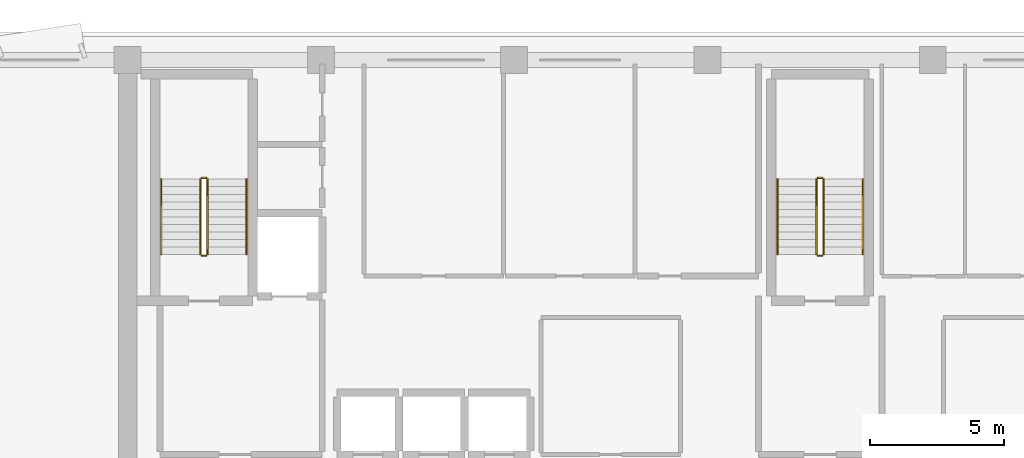
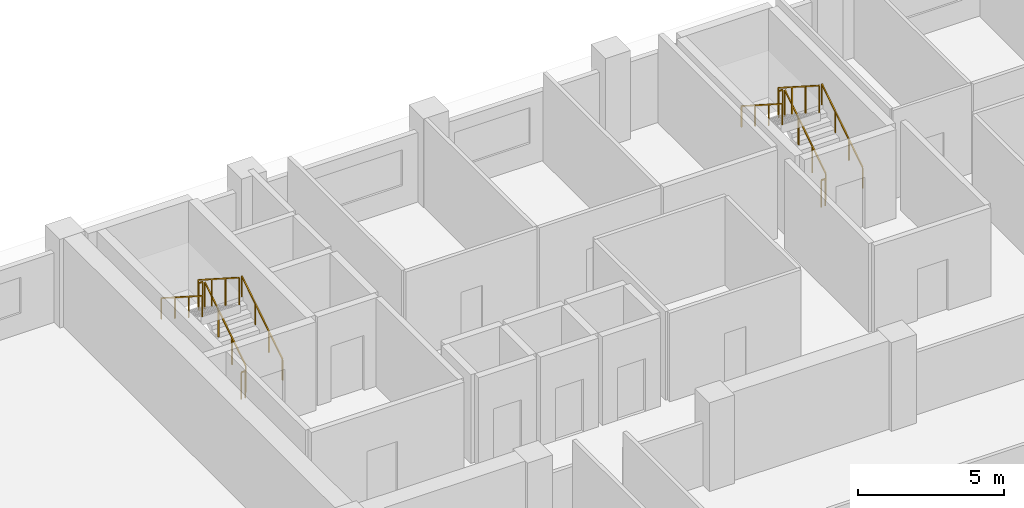
# One storey, part 10 of 11: 12 railings.
"""IFC4 building model written with IfcOpenShell, lengths in metres."""

from ifc_helpers import new_model, si_unit, direction, frame, origin, origin_2d, place, context, subcontext, project, spatial, rectangle, extrude, material, type_object, element, save


model = new_model("IFC4")

# Units and contexts
model_context = context("Model", 3, precision=1e-05, world=origin(), true_north=direction((0.0, 1.0)))
body_context = subcontext(model_context, "Body", "Model", "MODEL_VIEW")
ifc_project = project(units=[si_unit("LENGTHUNIT", "METRE"), si_unit("AREAUNIT", "SQUARE_METRE"), si_unit("VOLUMEUNIT", "CUBIC_METRE"), si_unit("PLANEANGLEUNIT", "RADIAN"), si_unit("MASSUNIT", "GRAM", prefix="KILO")], contexts=[model_context])

# Site, building, storey
site_placement = place(None, origin())
site = spatial("IfcSite", under=ifc_project, at=site_placement, CompositionType="ELEMENT")
building_placement = place(site_placement, origin())
building = spatial("IfcBuilding", under=site, at=building_placement, Name="Kaelvorn Grand Hotel", CompositionType="ELEMENT")
storey_placement = place(building_placement, frame((0.0, 0.0, 252.85009765625)))
storey = spatial("IfcBuildingStorey", under=building, at=storey_placement, Name="L62", CompositionType="ELEMENT", Elevation=252.85009765625)

# Railings
ifc_material = material(Name="Stainless Steel", Category="steel")
railing_type_1 = type_object("IfcRailingType", Name="RL-HANDRAIL-900", PredefinedType="HANDRAIL", material=ifc_material)
railing_1_placement = place(storey_placement, frame((20.6298828125, 41.760009765625, 0.179443359375)))
element("IfcRailing", 1, at=railing_1_placement, inside=storey, type_object=railing_type_1, Name="L62 ST1 stair handrail 1", PredefinedType="HANDRAIL", context=body_context, shape_type="SweptSolid", body=[
    extrude(rectangle(XDim=0.048095703125, YDim=0.048095703125, at=origin_2d()), frame((0.0, 0.0, 0.8759765625), z_axis=(0.0, 0.841809871826, 0.539774156196), x_axis=(-1.0, 0.0, 0.0)), (0.0, 0.0, 1.0), 3.326171875),
    extrude(rectangle(XDim=0.0419921875, YDim=0.0419921875, at=origin_2d()), origin(), (0.0, 0.0, 1.0), 0.851806640625),
    extrude(rectangle(XDim=0.0419921875, YDim=0.0419921875, at=origin_2d()), frame((0.0, 0.933349609375, 0.598388671875)), (0.0, 0.0, 1.0), 0.851806640625),
    extrude(rectangle(XDim=0.0419921875, YDim=0.0419921875, at=origin_2d()), frame((0.0, 1.86669921875, 1.197021484375)), (0.0, 0.0, 1.0), 0.851806640625),
    extrude(rectangle(XDim=0.0419921875, YDim=0.0419921875, at=origin_2d()), frame((0.0, 2.800048828125, 1.79541015625)), (0.0, 0.0, 1.0), 0.851806640625),
])
railing_2_placement = place(storey_placement, frame((17.449951171875, 44.56005859375, 2.154541015625)))
element("IfcRailing", 2, at=railing_2_placement, inside=storey, type_object=railing_type_1, Name="L62 ST1 stair handrail 2", PredefinedType="HANDRAIL", context=body_context, shape_type="SweptSolid", body=[
    extrude(rectangle(XDim=0.048095703125, YDim=0.048095703125, at=origin_2d()), frame((0.0, 0.0, 0.8759765625), z_axis=(0.0, -0.841809871826, 0.539774156196), x_axis=(1.0, 0.0, 0.0)), (0.0, 0.0, 1.0), 3.326171875),
    extrude(rectangle(XDim=0.0419921875, YDim=0.0419921875, at=origin_2d()), origin(), (0.0, 0.0, 1.0), 0.851806640625),
    extrude(rectangle(XDim=0.0419921875, YDim=0.0419921875, at=origin_2d()), frame((0.0, -0.933349609375, 0.598388671875)), (0.0, 0.0, 1.0), 0.851806640625),
    extrude(rectangle(XDim=0.0419921875, YDim=0.0419921875, at=origin_2d()), frame((0.0, -1.86669921875, 1.197021484375)), (0.0, 0.0, 1.0), 0.851806640625),
    extrude(rectangle(XDim=0.0419921875, YDim=0.0419921875, at=origin_2d()), frame((0.0, -2.800048828125, 1.79541015625)), (0.0, 0.0, 1.0), 0.851806640625),
])
railing_3_placement = place(storey_placement, frame((43.590087890625, 41.760009765625, 0.179443359375)))
element("IfcRailing", 3, at=railing_3_placement, inside=storey, type_object=railing_type_1, Name="L62 ST2 stair handrail 1", PredefinedType="HANDRAIL", context=body_context, shape_type="SweptSolid", body=[
    extrude(rectangle(XDim=0.048095703125, YDim=0.048095703125, at=origin_2d()), frame((0.0, 0.0, 0.8759765625), z_axis=(0.0, 0.841809871826, 0.539774156196), x_axis=(-1.0, 0.0, 0.0)), (0.0, 0.0, 1.0), 3.326171875),
    extrude(rectangle(XDim=0.0419921875, YDim=0.0419921875, at=origin_2d()), origin(), (0.0, 0.0, 1.0), 0.851806640625),
    extrude(rectangle(XDim=0.0419921875, YDim=0.0419921875, at=origin_2d()), frame((0.0, 0.933349609375, 0.598388671875)), (0.0, 0.0, 1.0), 0.851806640625),
    extrude(rectangle(XDim=0.0419921875, YDim=0.0419921875, at=origin_2d()), frame((0.0, 1.86669921875, 1.197021484375)), (0.0, 0.0, 1.0), 0.851806640625),
    extrude(rectangle(XDim=0.0419921875, YDim=0.0419921875, at=origin_2d()), frame((0.0, 2.800048828125, 1.79541015625)), (0.0, 0.0, 1.0), 0.851806640625),
])
railing_4_placement = place(storey_placement, frame((40.409912109375, 44.56005859375, 2.154541015625)))
element("IfcRailing", 4, at=railing_4_placement, inside=storey, type_object=railing_type_1, Name="L62 ST2 stair handrail 2", PredefinedType="HANDRAIL", context=body_context, shape_type="SweptSolid", body=[
    extrude(rectangle(XDim=0.048095703125, YDim=0.048095703125, at=origin_2d()), frame((0.0, 0.0, 0.8759765625), z_axis=(0.0, -0.841809871826, 0.539774156196), x_axis=(1.0, 0.0, 0.0)), (0.0, 0.0, 1.0), 3.326171875),
    extrude(rectangle(XDim=0.0419921875, YDim=0.0419921875, at=origin_2d()), origin(), (0.0, 0.0, 1.0), 0.851806640625),
    extrude(rectangle(XDim=0.0419921875, YDim=0.0419921875, at=origin_2d()), frame((0.0, -0.933349609375, 0.598388671875)), (0.0, 0.0, 1.0), 0.851806640625),
    extrude(rectangle(XDim=0.0419921875, YDim=0.0419921875, at=origin_2d()), frame((0.0, -1.86669921875, 1.197021484375)), (0.0, 0.0, 1.0), 0.851806640625),
    extrude(rectangle(XDim=0.0419921875, YDim=0.0419921875, at=origin_2d()), frame((0.0, -2.800048828125, 1.79541015625)), (0.0, 0.0, 1.0), 0.851806640625),
])
railing_type_2 = type_object("IfcRailingType", Name="RL-STAIR-GUARD-1150", PredefinedType="BALUSTRADE", material=ifc_material)
railing_5_placement = place(storey_placement, frame((19.169921875, 41.760009765625, 0.179443359375)))
element("IfcRailing", 5, at=railing_5_placement, inside=storey, type_object=railing_type_2, Name="L62 ST1 stair guard 1", PredefinedType="BALUSTRADE", context=body_context, shape_type="SweptSolid", body=[
    extrude(rectangle(XDim=0.048095703125, YDim=0.048095703125, at=origin_2d()), frame((0.0, 0.0, 1.1259765625), z_axis=(0.0, 0.841809871826, 0.539774156196), x_axis=(-1.0, 0.0, 0.0)), (0.0, 0.0, 1.0), 3.326171875),
    extrude(rectangle(XDim=0.0419921875, YDim=0.0419921875, at=origin_2d()), origin(), (0.0, 0.0, 1.0), 1.101806640625),
    extrude(rectangle(XDim=0.0419921875, YDim=0.0419921875, at=origin_2d()), frame((0.0, 0.933349609375, 0.598388671875)), (0.0, 0.0, 1.0), 1.101806640625),
    extrude(rectangle(XDim=0.0419921875, YDim=0.0419921875, at=origin_2d()), frame((0.0, 1.86669921875, 1.197021484375)), (0.0, 0.0, 1.0), 1.101806640625),
    extrude(rectangle(XDim=0.0419921875, YDim=0.0419921875, at=origin_2d()), frame((0.0, 2.800048828125, 1.79541015625)), (0.0, 0.0, 1.0), 1.101806640625),
])
railing_6_placement = place(storey_placement, frame((19.1201171875, 44.610107421875, 1.974853515625)))
element("IfcRailing", 6, at=railing_6_placement, inside=storey, type_object=railing_type_2, Name="L62 ST1 stair guard 2", PredefinedType="BALUSTRADE", context=body_context, shape_type="SweptSolid", body=[
    extrude(rectangle(XDim=0.048095703125, YDim=0.048095703125, at=origin_2d()), frame((0.0, 0.0, 1.1259765625), z_axis=(-1.0, 0.0, 0.0), x_axis=(0.0, -1.0, 0.0)), (0.0, 0.0, 1.0), 0.16015625),
    extrude(rectangle(XDim=0.0419921875, YDim=0.0419921875, at=origin_2d()), origin(), (0.0, 0.0, 1.0), 1.101806640625),
    extrude(rectangle(XDim=0.0419921875, YDim=0.0419921875, at=origin_2d()), frame((-0.16015625, 0.0, 0.0)), (0.0, 0.0, 1.0), 1.101806640625),
])
railing_7_placement = place(storey_placement, frame((18.909912109375, 44.56005859375, 2.154541015625)))
element("IfcRailing", 7, at=railing_7_placement, inside=storey, type_object=railing_type_2, Name="L62 ST1 stair guard 3", PredefinedType="BALUSTRADE", context=body_context, shape_type="SweptSolid", body=[
    extrude(rectangle(XDim=0.048095703125, YDim=0.048095703125, at=origin_2d()), frame((0.0, 0.0, 1.1259765625), z_axis=(0.0, -0.841809871826, 0.539774156196), x_axis=(1.0, 0.0, 0.0)), (0.0, 0.0, 1.0), 3.326171875),
    extrude(rectangle(XDim=0.0419921875, YDim=0.0419921875, at=origin_2d()), origin(), (0.0, 0.0, 1.0), 1.101806640625),
    extrude(rectangle(XDim=0.0419921875, YDim=0.0419921875, at=origin_2d()), frame((0.0, -0.933349609375, 0.598388671875)), (0.0, 0.0, 1.0), 1.101806640625),
    extrude(rectangle(XDim=0.0419921875, YDim=0.0419921875, at=origin_2d()), frame((0.0, -1.86669921875, 1.197021484375)), (0.0, 0.0, 1.0), 1.101806640625),
    extrude(rectangle(XDim=0.0419921875, YDim=0.0419921875, at=origin_2d()), frame((0.0, -2.800048828125, 1.79541015625)), (0.0, 0.0, 1.0), 1.101806640625),
])
railing_8_placement = place(storey_placement, frame((19.1201171875, 41.7099609375, 0.0)))
element("IfcRailing", 8, at=railing_8_placement, inside=storey, type_object=railing_type_2, Name="L62 ST1 stair guard 4", PredefinedType="BALUSTRADE", context=body_context, shape_type="SweptSolid", body=[
    extrude(rectangle(XDim=0.048095703125, YDim=0.048095703125, at=origin_2d()), frame((0.0, 0.0, 1.1259765625), z_axis=(-1.0, 0.0, 0.0), x_axis=(0.0, -1.0, 0.0)), (0.0, 0.0, 1.0), 0.16015625),
    extrude(rectangle(XDim=0.0419921875, YDim=0.0419921875, at=origin_2d()), origin(), (0.0, 0.0, 1.0), 1.101806640625),
    extrude(rectangle(XDim=0.0419921875, YDim=0.0419921875, at=origin_2d()), frame((-0.16015625, 0.0, 0.0)), (0.0, 0.0, 1.0), 1.101806640625),
])
railing_9_placement = place(storey_placement, frame((42.1298828125, 41.760009765625, 0.179443359375)))
element("IfcRailing", 9, at=railing_9_placement, inside=storey, type_object=railing_type_2, Name="L62 ST2 stair guard 1", PredefinedType="BALUSTRADE", context=body_context, shape_type="SweptSolid", body=[
    extrude(rectangle(XDim=0.048095703125, YDim=0.048095703125, at=origin_2d()), frame((0.0, 0.0, 1.1259765625), z_axis=(0.0, 0.841809871826, 0.539774156196), x_axis=(-1.0, 0.0, 0.0)), (0.0, 0.0, 1.0), 3.326171875),
    extrude(rectangle(XDim=0.0419921875, YDim=0.0419921875, at=origin_2d()), origin(), (0.0, 0.0, 1.0), 1.101806640625),
    extrude(rectangle(XDim=0.0419921875, YDim=0.0419921875, at=origin_2d()), frame((0.0, 0.933349609375, 0.598388671875)), (0.0, 0.0, 1.0), 1.101806640625),
    extrude(rectangle(XDim=0.0419921875, YDim=0.0419921875, at=origin_2d()), frame((0.0, 1.86669921875, 1.197021484375)), (0.0, 0.0, 1.0), 1.101806640625),
    extrude(rectangle(XDim=0.0419921875, YDim=0.0419921875, at=origin_2d()), frame((0.0, 2.800048828125, 1.79541015625)), (0.0, 0.0, 1.0), 1.101806640625),
])
railing_10_placement = place(storey_placement, frame((42.080078125, 44.610107421875, 1.974853515625)))
element("IfcRailing", 10, at=railing_10_placement, inside=storey, type_object=railing_type_2, Name="L62 ST2 stair guard 2", PredefinedType="BALUSTRADE", context=body_context, shape_type="SweptSolid", body=[
    extrude(rectangle(XDim=0.048095703125, YDim=0.048095703125, at=origin_2d()), frame((0.0, 0.0, 1.1259765625), z_axis=(-1.0, 0.0, 0.0), x_axis=(0.0, -1.0, 0.0)), (0.0, 0.0, 1.0), 0.16015625),
    extrude(rectangle(XDim=0.0419921875, YDim=0.0419921875, at=origin_2d()), origin(), (0.0, 0.0, 1.0), 1.101806640625),
    extrude(rectangle(XDim=0.0419921875, YDim=0.0419921875, at=origin_2d()), frame((-0.16015625, 0.0, 0.0)), (0.0, 0.0, 1.0), 1.101806640625),
])
railing_11_placement = place(storey_placement, frame((41.8701171875, 44.56005859375, 2.154541015625)))
element("IfcRailing", 11, at=railing_11_placement, inside=storey, type_object=railing_type_2, Name="L62 ST2 stair guard 3", PredefinedType="BALUSTRADE", context=body_context, shape_type="SweptSolid", body=[
    extrude(rectangle(XDim=0.048095703125, YDim=0.048095703125, at=origin_2d()), frame((0.0, 0.0, 1.1259765625), z_axis=(0.0, -0.841809871826, 0.539774156196), x_axis=(1.0, 0.0, 0.0)), (0.0, 0.0, 1.0), 3.326171875),
    extrude(rectangle(XDim=0.0419921875, YDim=0.0419921875, at=origin_2d()), origin(), (0.0, 0.0, 1.0), 1.101806640625),
    extrude(rectangle(XDim=0.0419921875, YDim=0.0419921875, at=origin_2d()), frame((0.0, -0.933349609375, 0.598388671875)), (0.0, 0.0, 1.0), 1.101806640625),
    extrude(rectangle(XDim=0.0419921875, YDim=0.0419921875, at=origin_2d()), frame((0.0, -1.86669921875, 1.197021484375)), (0.0, 0.0, 1.0), 1.101806640625),
    extrude(rectangle(XDim=0.0419921875, YDim=0.0419921875, at=origin_2d()), frame((0.0, -2.800048828125, 1.79541015625)), (0.0, 0.0, 1.0), 1.101806640625),
])
railing_12_placement = place(storey_placement, frame((42.080078125, 41.7099609375, 0.0)))
element("IfcRailing", 12, at=railing_12_placement, inside=storey, type_object=railing_type_2, Name="L62 ST2 stair guard 4", PredefinedType="BALUSTRADE", context=body_context, shape_type="SweptSolid", body=[
    extrude(rectangle(XDim=0.048095703125, YDim=0.048095703125, at=origin_2d()), frame((0.0, 0.0, 1.1259765625), z_axis=(-1.0, 0.0, 0.0), x_axis=(0.0, -1.0, 0.0)), (0.0, 0.0, 1.0), 0.16015625),
    extrude(rectangle(XDim=0.0419921875, YDim=0.0419921875, at=origin_2d()), origin(), (0.0, 0.0, 1.0), 1.101806640625),
    extrude(rectangle(XDim=0.0419921875, YDim=0.0419921875, at=origin_2d()), frame((-0.16015625, 0.0, 0.0)), (0.0, 0.0, 1.0), 1.101806640625),
])

save(model, "model.ifc")
